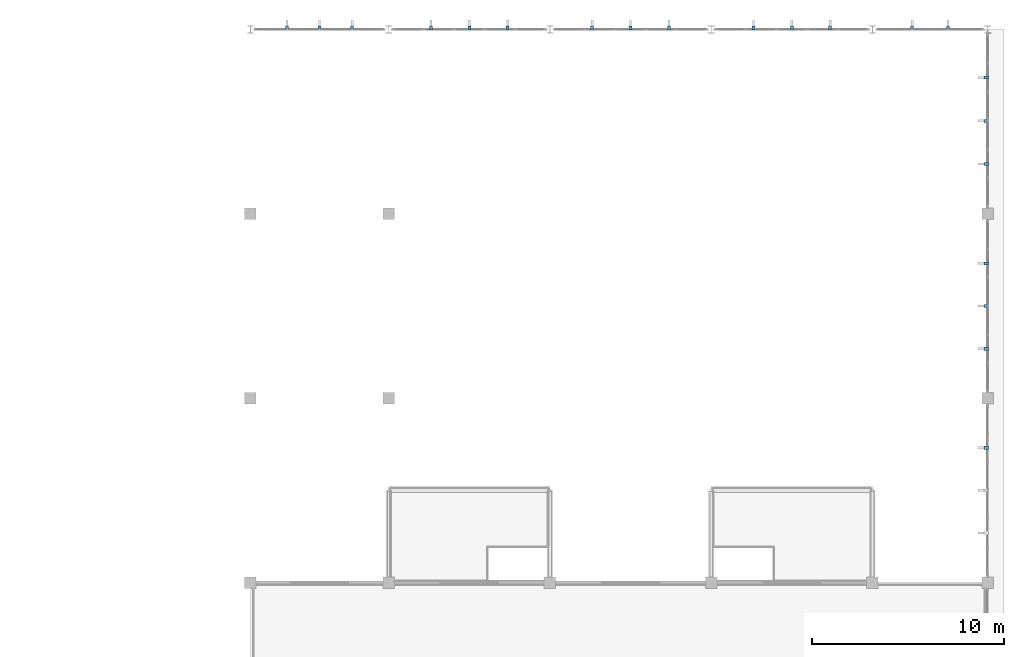
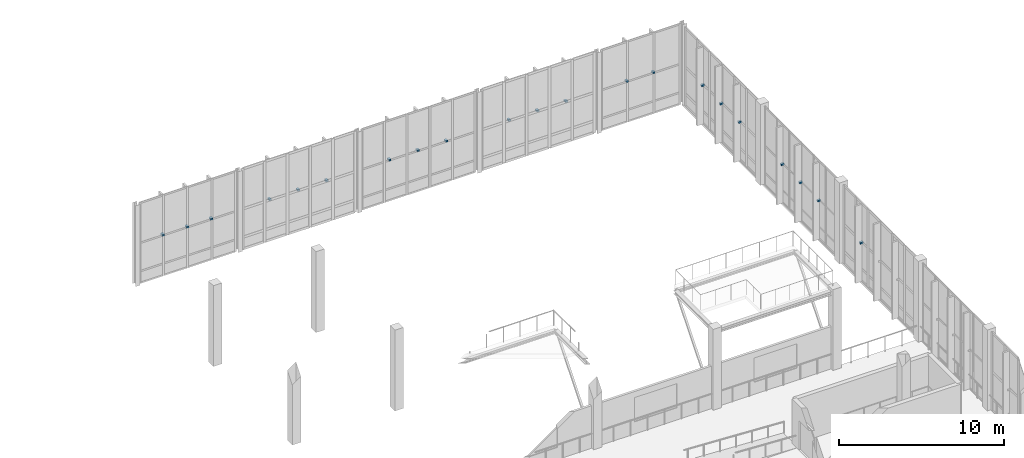
# One storey, part 87 of 105: 21 discrete accessories.
"""IFC4 building model written with IfcOpenShell, lengths in metres."""

from ifc_helpers import new_model, si_unit, direction, frame, origin, origin_2d, place, context, subcontext, project, spatial, rectangle, extrude, material, type_object, element, save


model = new_model("IFC4")

# Units and contexts
model_context = context("Model", 3, precision=1e-05, world=origin(), true_north=direction((0.0, 1.0)))
body_context = subcontext(model_context, "Body", "Model", "MODEL_VIEW")
ifc_project = project(units=[si_unit("LENGTHUNIT", "METRE"), si_unit("AREAUNIT", "SQUARE_METRE"), si_unit("VOLUMEUNIT", "CUBIC_METRE"), si_unit("PLANEANGLEUNIT", "RADIAN"), si_unit("MASSUNIT", "GRAM", prefix="KILO")], contexts=[model_context])

# Site, building, storey
site_placement = place(None, origin())
site = spatial("IfcSite", under=ifc_project, at=site_placement, CompositionType="ELEMENT")
building_placement = place(site_placement, origin())
building = spatial("IfcBuilding", under=site, at=building_placement, Name="Tizgana Railside Sports Hall", CompositionType="ELEMENT")
storey_placement = place(building_placement, frame((0.0, 0.0, 6.0)))
storey = spatial("IfcBuildingStorey", under=building, at=storey_placement, Name="L01", CompositionType="ELEMENT", Elevation=6.0)

# Discrete accessories
ifc_material = material(Name="Steel S355J2", Category="steel")
discrete_accessory_type = type_object("IfcDiscreteAccessoryType", Name="Stainless Facade Support Bracket", PredefinedType="BRACKET", material=ifc_material)
for number, where, z_axis, x_axis, name in (
    (1, (135.702392578125, 117.679931640625, 2.93994140625), (0.0, 0.0, 1.0), (1.0, 0.0, 0.0), "L01 Fin Bracket"),
    (2, (137.39990234375, 117.679931640625, 2.93994140625), (0.0, 0.0, 1.0), (1.0, 0.0, 0.0), "L01 Fin Bracket"),
    (3, (139.097412109375, 117.679931640625, 2.93994140625), (0.0, 0.0, 1.0), (1.0, 0.0, 0.0), "L01 Fin Bracket"),
    (4, (143.202392578125, 117.679931640625, 2.93994140625), (0.0, 0.0, 1.0), (1.0, 0.0, 0.0), "L01 Fin Bracket"),
    (5, (145.199951171875, 117.679931640625, 2.93994140625), (0.0, 0.0, 1.0), (1.0, 0.0, 0.0), "L01 Fin Bracket"),
    (6, (147.197509765625, 117.679931640625, 2.93994140625), (0.0, 0.0, 1.0), (1.0, 0.0, 0.0), "L01 Fin Bracket"),
    (7, (151.6025390625, 117.679931640625, 2.93994140625), (0.0, 0.0, 1.0), (1.0, 0.0, 0.0), "L01 Fin Bracket"),
    (8, (153.60009765625, 117.679931640625, 2.93994140625), (0.0, 0.0, 1.0), (1.0, 0.0, 0.0), "L01 Fin Bracket"),
    (9, (155.597412109375, 117.679931640625, 2.93994140625), (0.0, 0.0, 1.0), (1.0, 0.0, 0.0), "L01 Fin Bracket"),
    (10, (160.00244140625, 117.679931640625, 2.93994140625), (0.0, 0.0, 1.0), (1.0, 0.0, 0.0), "L01 Fin Bracket"),
    (11, (162.0, 117.679931640625, 2.93994140625), (0.0, 0.0, 1.0), (1.0, 0.0, 0.0), "L01 Fin Bracket"),
    (12, (163.99755859375, 117.679931640625, 2.93994140625), (0.0, 0.0, 1.0), (1.0, 0.0, 0.0), "L01 Fin Bracket"),
    (13, (168.268310546875, 117.679931640625, 2.93994140625), (0.0, 0.0, 1.0), (1.0, 0.0, 0.0), "L01 Fin Bracket"),
    (14, (170.131591796875, 117.679931640625, 2.93994140625), (0.0, 0.0, 1.0), (1.0, 0.0, 0.0), "L01 Fin Bracket"),
    (15, (172.1201171875, 95.822509765625, 2.83984375), (0.0, 0.0, 1.0), (0.0, 1.0, 0.0), "L01 Fin Bracket"),
    (16, (172.1201171875, 100.9775390625, 2.83984375), (0.0, 0.0, 1.0), (0.0, 1.0, 0.0), "L01 Fin Bracket"),
    (17, (172.1201171875, 103.199951171875, 2.83984375), (0.0, 0.0, 1.0), (0.0, 1.0, 0.0), "L01 Fin Bracket"),
    (18, (172.1201171875, 105.422607421875, 2.83984375), (0.0, 0.0, 1.0), (0.0, 1.0, 0.0), "L01 Fin Bracket"),
    (19, (172.1201171875, 110.6025390625, 2.83984375), (0.0, 0.0, 1.0), (0.0, 1.0, 0.0), "L01 Fin Bracket"),
    (20, (172.1201171875, 112.85009765625, 2.83984375), (0.0, 0.0, 1.0), (0.0, 1.0, 0.0), "L01 Fin Bracket"),
    (21, (172.1201171875, 115.097412109375, 2.83984375), (0.0, 0.0, 1.0), (0.0, 1.0, 0.0), "L01 Fin Bracket"),
):
    element("IfcDiscreteAccessory", number, at=place(storey_placement, frame(where, z_axis=z_axis, x_axis=x_axis)), inside=storey, type_object=discrete_accessory_type, Name=name, PredefinedType="BRACKET", context=body_context, shape_type="SweptSolid", body=[
        extrude(rectangle(XDim=0.159912109375, YDim=0.219970703125, at=origin_2d()), origin(), (0.0, 0.0, 1.0), 0.1201171875),
    ])

save(model, "model.ifc")
